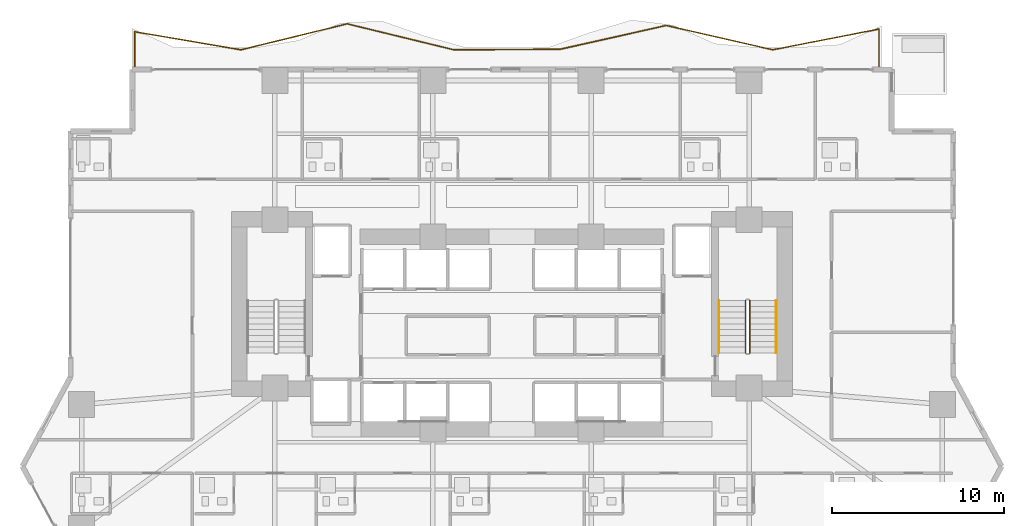
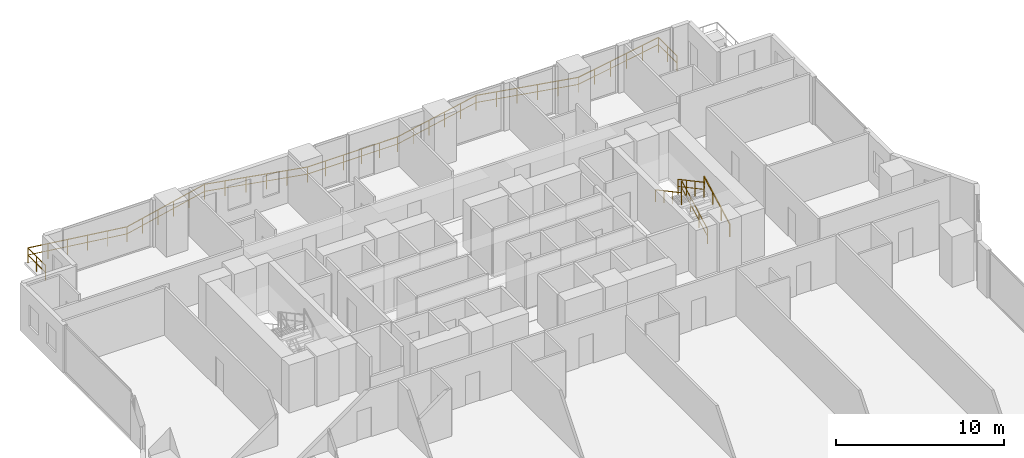
# One storey, part 26 of 28: 5 railings.
"""IFC4 building model written with IfcOpenShell, lengths in metres."""

import ifcopenshell
import ifcopenshell.guid

model = None  # the IFC model being written
_history = None  # IfcOwnerHistory: only IFC2X3 demands one
_inside = {}  # id of a spatial element -> (the spatial element, [elements in it])
_under = {}  # id of a project, library or spatial element -> (it, [spatial elements below it])
_declared = {}  # id of a project -> (the project, [libraries it declares])
_typed = {}  # id of a type object -> (the type object, [elements of that type])
_made_of = {}  # id of a material, layer set ... -> (it, [elements and type objects made of it])


def new_model(schema):
    """Start an empty IFC model of exactly this schema.

    Asked for "IFC4X3", IfcOpenShell would pick the latest addendum, in which some entities
    have other attributes; the version numbers below select the first issue.
    IFC2X3 requires an IfcOwnerHistory on every rooted entity: one is made here for all.
    """
    global model, _history
    if schema == "IFC4X3":
        model = ifcopenshell.file(schema_version=(4, 3, 0, 0))
    else:
        model = ifcopenshell.file(schema=schema)
    _inside.clear()
    _under.clear()
    _declared.clear()
    _typed.clear()
    _made_of.clear()
    _history = None
    if model.schema == "IFC2X3":
        org = make("IfcOrganization", Name="unknown")
        user = make(
            "IfcPersonAndOrganization",
            ThePerson=make("IfcPerson", FamilyName="unknown"),
            TheOrganization=org,
        )
        app = make(
            "IfcApplication",
            ApplicationDeveloper=org,
            Version="unknown",
            ApplicationFullName="unknown",
            ApplicationIdentifier="unknown",
        )
        _history = make(
            "IfcOwnerHistory",
            OwningUser=user,
            OwningApplication=app,
            ChangeAction="ADDED",
            CreationDate=0,
        )
    return model


def make(cls, **values):
    """One entity of the class cls with the attributes given. An attribute that is None is left unset."""
    return model.create_entity(
        cls, **{name: value for name, value in values.items() if value is not None}
    )


def rooted(cls, **values):
    """An entity with a GlobalId (a new one), such as an element, a storey or a relation."""
    return make(cls, GlobalId=ifcopenshell.guid.new(), OwnerHistory=_history, **values)


def si_unit(unit_type, name, prefix=None):
    """IfcSIUnit, for example si_unit("LENGTHUNIT", "METRE", prefix="MILLI")."""
    return make("IfcSIUnit", UnitType=unit_type, Prefix=prefix, Name=name)


def assignment(units):
    """IfcUnitAssignment: the units of a project."""
    return None if units is None else make("IfcUnitAssignment", Units=units)


def point(xyz):
    """IfcCartesianPoint."""
    return None if xyz is None else make("IfcCartesianPoint", Coordinates=xyz)


def direction(xyz):
    """IfcDirection."""
    return None if xyz is None else make("IfcDirection", DirectionRatios=xyz)


def frame(location, z_axis=None, x_axis=None):
    """IfcAxis2Placement3D, a coordinate frame: its origin and axes. An axis left out is left unset."""
    return make(
        "IfcAxis2Placement3D",
        Location=point(location),
        Axis=direction(z_axis),
        RefDirection=direction(x_axis),
    )


def frame_2d(location, x_axis=None):
    """IfcAxis2Placement2D, a coordinate frame in the plane: its origin and x axis."""
    return make(
        "IfcAxis2Placement2D", Location=point(location), RefDirection=direction(x_axis)
    )


def origin():
    """The frame at (0, 0, 0) with its axes left unset."""
    return frame((0.0, 0.0, 0.0))


def origin_2d():
    """The frame at (0, 0) in the plane with its x axis left unset."""
    return frame_2d((0.0, 0.0))


def place(relative_to, where):
    """IfcLocalPlacement: puts the frame where relative to a parent placement (None: the world)."""
    return make(
        "IfcLocalPlacement", PlacementRelTo=relative_to, RelativePlacement=where
    )


def context(
    kind, dimensions, precision=None, world=None, true_north=None, identifier=None
):
    """IfcGeometricRepresentationContext, for example the 3D "Model" context."""
    return make(
        "IfcGeometricRepresentationContext",
        ContextIdentifier=identifier,
        ContextType=kind,
        CoordinateSpaceDimension=dimensions,
        Precision=precision,
        WorldCoordinateSystem=world,
        TrueNorth=true_north,
    )


def subcontext(parent, identifier, kind, view, scale=None):
    """IfcGeometricRepresentationSubContext, for example "Body" below "Model"."""
    return make(
        "IfcGeometricRepresentationSubContext",
        ContextIdentifier=identifier,
        ContextType=kind,
        ParentContext=parent,
        TargetScale=scale,
        TargetView=view,
    )


def project(units=None, contexts=None):
    """IfcProject with its units and contexts."""
    return rooted(
        "IfcProject",
        Name="project",
        RepresentationContexts=contexts,
        UnitsInContext=assignment(units),
    )


def spatial(cls, under=None, at=None, **own):
    """A site, building, storey or space (cls), placed at a placement, below another one or the project."""
    s = rooted(cls, ObjectPlacement=at, **own)
    if under is not None:
        _under.setdefault(under.id(), (under, []))[1].append(s)
    return s


def profile(cls, at=None, kind="AREA", **sizes):
    """A parametric profile (cls). Its sizes go by their IFC names, for example OverallWidth=200.0."""
    return make(cls, ProfileType=kind, Position=at, **sizes)


def rectangle(**sizes):
    """IfcRectangleProfileDef."""
    return profile("IfcRectangleProfileDef", **sizes)


def extrude(swept, where, along, depth):
    """IfcExtrudedAreaSolid: the profile swept, set in the frame where, extruded along a direction by depth."""
    return make(
        "IfcExtrudedAreaSolid",
        SweptArea=swept,
        Position=where,
        ExtrudedDirection=direction(along),
        Depth=depth,
    )


def shape(context_of_items, identifier, shape_type, items):
    """IfcShapeRepresentation: the items that make up one representation, for example the "Body"."""
    return make(
        "IfcShapeRepresentation",
        ContextOfItems=context_of_items,
        RepresentationIdentifier=identifier,
        RepresentationType=shape_type,
        Items=items,
    )


def material(Name=None, Category=None):
    """IfcMaterial."""
    return make("IfcMaterial", Name=Name, Category=Category)


def made_of(thing, what):
    """Note that an element or type object is made of a material, layer set ...; save() writes the relation."""
    if what is not None:
        _made_of.setdefault(what.id(), (what, []))[1].append(thing)
    return thing


def type_object(cls, material=None, **own):
    """A type object (cls), such as IfcWallType, which elements share."""
    return made_of(rooted(cls, **own), material)


def element(
    cls,
    number,
    at=None,
    inside=None,
    cuts=None,
    type_object=None,
    material=None,
    context=None,
    identifier="Body",
    shape_type=None,
    held_by="IfcProductDefinitionShape",
    body=None,
    shapes=None,
    **own,
):
    """One element of the class cls, such as IfcWall. Its Tag is "e" and its number.

    at: its placement. inside: the storey or other place that contains it. cuts: it is an
    opening in that element (IfcRelVoidsElement). A single representation is given by context,
    identifier, shape_type and body (its items); several are given by shapes. held_by: the class
    of the entity that holds the representations. save() writes the other relations.
    """
    e = rooted(cls, Tag="e%d" % number, ObjectPlacement=at, **own)
    if body is not None:
        shapes = [shape(context, identifier, shape_type, body)]
    if shapes is not None:
        e.Representation = make(held_by, Representations=shapes)
    if inside is not None:
        _inside.setdefault(inside.id(), (inside, []))[1].append(e)
    if cuts is not None:
        rooted(
            "IfcRelVoidsElement", RelatingBuildingElement=cuts, RelatedOpeningElement=e
        )
    if type_object is not None:
        _typed.setdefault(type_object.id(), (type_object, []))[1].append(e)
    return made_of(e, material)


def aggregate(whole, parts):
    """IfcRelAggregates: a whole, such as a stair, and the parts it consists of."""
    return rooted("IfcRelAggregates", RelatingObject=whole, RelatedObjects=parts)


def save(model, path):
    """Write the relations noted so far, then the file.

    IfcRelAggregates (storeys below a building ...), IfcRelContainedInSpatialStructure (elements
    in a storey), IfcRelDefinesByType, IfcRelAssociatesMaterial and IfcRelDeclares: one each for
    every whole, place, type object, material and project.
    """
    for whole, parts in _under.values():
        aggregate(whole, parts)
    for where, things in _inside.values():
        rooted(
            "IfcRelContainedInSpatialStructure",
            RelatedElements=things,
            RelatingStructure=where,
        )
    for kind, things in _typed.values():
        rooted("IfcRelDefinesByType", RelatedObjects=things, RelatingType=kind)
    for what, things in _made_of.values():
        rooted("IfcRelAssociatesMaterial", RelatedObjects=things, RelatingMaterial=what)
    for by, libraries in _declared.values():
        rooted("IfcRelDeclares", RelatingContext=by, RelatedDefinitions=libraries)
    model.write(path)


model = new_model("IFC4")

# Units and contexts
model_context = context("Model", 3, precision=1e-05, world=origin(), true_north=direction((0.0, 1.0)))
body_context = subcontext(model_context, "Body", "Model", "MODEL_VIEW")
ifc_project = project(units=[si_unit("LENGTHUNIT", "METRE"), si_unit("AREAUNIT", "SQUARE_METRE"), si_unit("VOLUMEUNIT", "CUBIC_METRE"), si_unit("PLANEANGLEUNIT", "RADIAN"), si_unit("MASSUNIT", "GRAM", prefix="KILO")], contexts=[model_context])

# Site, building, storey
site_placement = place(None, origin())
site = spatial("IfcSite", under=ifc_project, at=site_placement, CompositionType="ELEMENT")
building_placement = place(site_placement, origin())
building = spatial("IfcBuilding", under=site, at=building_placement, Name="Zuhayl Quay Hotel", CompositionType="ELEMENT")
storey_placement = place(building_placement, frame((0.0, 0.0, 53.14990234375)))
storey = spatial("IfcBuildingStorey", under=building, at=storey_placement, Name="L12", CompositionType="ELEMENT", Elevation=53.14990234375)

# Railings
ifc_material_1 = material(Name="Anodised Aluminium and Laminated Glass", Category="aluminium")
railing_type_1 = type_object("IfcRailingType", Name="RL_EXT_BAL_1100", PredefinedType="BALUSTRADE", material=ifc_material_1)
railing_1_placement = place(storey_placement, frame((-21.9599609375, 23.219970703125, 0.0)))
element("IfcRailing", 1, at=railing_1_placement, inside=storey, type_object=railing_type_1, Name="L12 Balcony and Terrace Guard GR_L12_BAL_N", PredefinedType="BALUSTRADE", context=body_context, shape_type="SweptSolid", body=[
    extrude(rectangle(XDim=0.048095703125, YDim=0.048095703125, at=origin_2d()), frame((0.0, 0.0, 1.09619140625), z_axis=(0.0, 1.0, 0.0), x_axis=(-1.0, 0.0, 0.0)), (0.0, 0.0, 1.0), 2.068115234375),
    extrude(rectangle(XDim=0.0361328125, YDim=0.0361328125, at=origin_2d()), frame((0.0, 0.0, 0.58251953125), z_axis=(0.0, 1.0, 0.0), x_axis=(-1.0, 0.0, 0.0)), (0.0, 0.0, 1.0), 2.068115234375),
    extrude(rectangle(XDim=0.048095703125, YDim=0.048095703125, at=origin_2d()), frame((0.0, 2.068115234375, 1.09619140625), z_axis=(0.985959513597, -0.166984542839, 0.0), x_axis=(0.166984542839, 0.985959513597, 0.0)), (0.0, 0.0, 1.0), 6.276611328125),
    extrude(rectangle(XDim=0.0361328125, YDim=0.0361328125, at=origin_2d()), frame((0.0, 2.068115234375, 0.58251953125), z_axis=(0.985959513597, -0.166984542839, 0.0), x_axis=(0.166984542839, 0.985959513597, 0.0)), (0.0, 0.0, 1.0), 6.276611328125),
    extrude(rectangle(XDim=0.048095703125, YDim=0.048095703125, at=origin_2d()), frame((6.1884765625, 1.02001953125, 1.09619140625), z_axis=(0.971541855353, 0.236867944851, 0.0), x_axis=(-0.236867944851, 0.971541855353, 0.0)), (0.0, 0.0, 1.0), 6.36962890625),
    extrude(rectangle(XDim=0.0361328125, YDim=0.0361328125, at=origin_2d()), frame((6.1884765625, 1.02001953125, 0.58251953125), z_axis=(0.971541855353, 0.236867944851, 0.0), x_axis=(-0.236867944851, 0.971541855353, 0.0)), (0.0, 0.0, 1.0), 6.36962890625),
    extrude(rectangle(XDim=0.048095703125, YDim=0.048095703125, at=origin_2d()), frame((12.376953125, 2.52880859375, 1.09619140625), z_axis=(0.971544005688, -0.236859124823, 0.0), x_axis=(0.236859124823, 0.971544005688, 0.0)), (0.0, 0.0, 1.0), 6.369873046875),
    extrude(rectangle(XDim=0.0361328125, YDim=0.0361328125, at=origin_2d()), frame((12.376953125, 2.52880859375, 0.58251953125), z_axis=(0.971544005688, -0.236859124823, 0.0), x_axis=(0.236859124823, 0.971544005688, 0.0)), (0.0, 0.0, 1.0), 6.369873046875),
    extrude(rectangle(XDim=0.048095703125, YDim=0.048095703125, at=origin_2d()), frame((18.565673828125, 1.02001953125, 1.09619140625), z_axis=(0.999989708668, 0.004536800398, 0.0), x_axis=(-0.004536800398, 0.999989708668, 0.0)), (0.0, 0.0, 1.0), 6.1884765625),
    extrude(rectangle(XDim=0.0361328125, YDim=0.0361328125, at=origin_2d()), frame((18.565673828125, 1.02001953125, 0.58251953125), z_axis=(0.999989708668, 0.004536800398, 0.0), x_axis=(-0.004536800398, 0.999989708668, 0.0)), (0.0, 0.0, 1.0), 6.1884765625),
    extrude(rectangle(XDim=0.048095703125, YDim=0.048095703125, at=origin_2d()), frame((24.754150390625, 1.048095703125, 1.09619140625), z_axis=(0.975827948744, 0.218540189555, 0.0), x_axis=(-0.218540189555, 0.975827948744, 0.0)), (0.0, 0.0, 1.0), 6.342041015625),
    extrude(rectangle(XDim=0.0361328125, YDim=0.0361328125, at=origin_2d()), frame((24.754150390625, 1.048095703125, 0.58251953125), z_axis=(0.975827948744, 0.218540189555, 0.0), x_axis=(-0.218540189555, 0.975827948744, 0.0)), (0.0, 0.0, 1.0), 6.342041015625),
    extrude(rectangle(XDim=0.048095703125, YDim=0.048095703125, at=origin_2d()), frame((30.94287109375, 2.43408203125, 1.09619140625), z_axis=(0.974873780706, -0.222757966619, 0.0), x_axis=(0.222757966619, 0.974873780706, 0.0)), (0.0, 0.0, 1.0), 6.347900390625),
    extrude(rectangle(XDim=0.0361328125, YDim=0.0361328125, at=origin_2d()), frame((30.94287109375, 2.43408203125, 0.58251953125), z_axis=(0.974873780706, -0.222757966619, 0.0), x_axis=(0.222757966619, 0.974873780706, 0.0)), (0.0, 0.0, 1.0), 6.347900390625),
    extrude(rectangle(XDim=0.048095703125, YDim=0.048095703125, at=origin_2d()), frame((37.13134765625, 1.02001953125, 1.09619140625), z_axis=(0.981593416051, 0.190982631582, 0.0), x_axis=(-0.190982631582, 0.981593416051, 0.0)), (0.0, 0.0, 1.0), 6.3046875),
    extrude(rectangle(XDim=0.0361328125, YDim=0.0361328125, at=origin_2d()), frame((37.13134765625, 1.02001953125, 0.58251953125), z_axis=(0.981593416051, 0.190982631582, 0.0), x_axis=(-0.190982631582, 0.981593416051, 0.0)), (0.0, 0.0, 1.0), 6.3046875),
    extrude(rectangle(XDim=0.048095703125, YDim=0.048095703125, at=origin_2d()), frame((43.320068359375, 2.22412109375, 1.09619140625), z_axis=(0.0, -1.0, 0.0), x_axis=(1.0, 0.0, 0.0)), (0.0, 0.0, 1.0), 2.22412109375),
    extrude(rectangle(XDim=0.0361328125, YDim=0.0361328125, at=origin_2d()), frame((43.320068359375, 2.22412109375, 0.58251953125), z_axis=(0.0, -1.0, 0.0), x_axis=(1.0, 0.0, 0.0)), (0.0, 0.0, 1.0), 2.22412109375),
    extrude(rectangle(XDim=0.0419921875, YDim=0.0419921875, at=origin_2d()), origin(), (0.0, 0.0, 1.0), 1.072021484375),
    extrude(rectangle(XDim=0.0419921875, YDim=0.0419921875, at=origin_2d()), frame((0.0, 1.0341796875, 0.0)), (0.0, 0.0, 1.0), 1.072021484375),
    extrude(rectangle(XDim=0.0419921875, YDim=0.0419921875, at=origin_2d()), frame((0.0, 2.068115234375, 0.0)), (0.0, 0.0, 1.0), 1.072021484375),
    extrude(rectangle(XDim=0.0419921875, YDim=0.0419921875, at=origin_2d()), frame((1.23779296875, 1.8583984375, 0.0)), (0.0, 0.0, 1.0), 1.072021484375),
    extrude(rectangle(XDim=0.0419921875, YDim=0.0419921875, at=origin_2d()), frame((2.475341796875, 1.64892578125, 0.0)), (0.0, 0.0, 1.0), 1.072021484375),
    extrude(rectangle(XDim=0.0419921875, YDim=0.0419921875, at=origin_2d()), frame((3.713134765625, 1.439208984375, 0.0)), (0.0, 0.0, 1.0), 1.072021484375),
    extrude(rectangle(XDim=0.0419921875, YDim=0.0419921875, at=origin_2d()), frame((4.95068359375, 1.229736328125, 0.0)), (0.0, 0.0, 1.0), 1.072021484375),
    extrude(rectangle(XDim=0.0419921875, YDim=0.0419921875, at=origin_2d()), frame((6.1884765625, 1.02001953125, 0.0)), (0.0, 0.0, 1.0), 1.072021484375),
    extrude(rectangle(XDim=0.0419921875, YDim=0.0419921875, at=origin_2d()), frame((7.42626953125, 1.32177734375, 0.0)), (0.0, 0.0, 1.0), 1.072021484375),
    extrude(rectangle(XDim=0.0419921875, YDim=0.0419921875, at=origin_2d()), frame((8.663818359375, 1.62353515625, 0.0)), (0.0, 0.0, 1.0), 1.072021484375),
    extrude(rectangle(XDim=0.0419921875, YDim=0.0419921875, at=origin_2d()), frame((9.901611328125, 1.92529296875, 0.0)), (0.0, 0.0, 1.0), 1.072021484375),
    extrude(rectangle(XDim=0.0419921875, YDim=0.0419921875, at=origin_2d()), frame((11.13916015625, 2.22705078125, 0.0)), (0.0, 0.0, 1.0), 1.072021484375),
    extrude(rectangle(XDim=0.0419921875, YDim=0.0419921875, at=origin_2d()), frame((12.376953125, 2.52880859375, 0.0)), (0.0, 0.0, 1.0), 1.072021484375),
    extrude(rectangle(XDim=0.0419921875, YDim=0.0419921875, at=origin_2d()), frame((13.61474609375, 2.22705078125, 0.0)), (0.0, 0.0, 1.0), 1.072021484375),
    extrude(rectangle(XDim=0.0419921875, YDim=0.0419921875, at=origin_2d()), frame((14.8525390625, 1.92529296875, 0.0)), (0.0, 0.0, 1.0), 1.072021484375),
    extrude(rectangle(XDim=0.0419921875, YDim=0.0419921875, at=origin_2d()), frame((16.090087890625, 1.62353515625, 0.0)), (0.0, 0.0, 1.0), 1.072021484375),
    extrude(rectangle(XDim=0.0419921875, YDim=0.0419921875, at=origin_2d()), frame((17.327880859375, 1.32177734375, 0.0)), (0.0, 0.0, 1.0), 1.072021484375),
    extrude(rectangle(XDim=0.0419921875, YDim=0.0419921875, at=origin_2d()), frame((18.565673828125, 1.02001953125, 0.0)), (0.0, 0.0, 1.0), 1.072021484375),
    extrude(rectangle(XDim=0.0419921875, YDim=0.0419921875, at=origin_2d()), frame((19.803466796875, 1.025634765625, 0.0)), (0.0, 0.0, 1.0), 1.072021484375),
    extrude(rectangle(XDim=0.0419921875, YDim=0.0419921875, at=origin_2d()), frame((21.041015625, 1.03125, 0.0)), (0.0, 0.0, 1.0), 1.072021484375),
    extrude(rectangle(XDim=0.0419921875, YDim=0.0419921875, at=origin_2d()), frame((22.27880859375, 1.036865234375, 0.0)), (0.0, 0.0, 1.0), 1.072021484375),
    extrude(rectangle(XDim=0.0419921875, YDim=0.0419921875, at=origin_2d()), frame((23.516357421875, 1.04248046875, 0.0)), (0.0, 0.0, 1.0), 1.072021484375),
    extrude(rectangle(XDim=0.0419921875, YDim=0.0419921875, at=origin_2d()), frame((24.754150390625, 1.048095703125, 0.0)), (0.0, 0.0, 1.0), 1.072021484375),
    extrude(rectangle(XDim=0.0419921875, YDim=0.0419921875, at=origin_2d()), frame((25.991943359375, 1.3251953125, 0.0)), (0.0, 0.0, 1.0), 1.072021484375),
    extrude(rectangle(XDim=0.0419921875, YDim=0.0419921875, at=origin_2d()), frame((27.229736328125, 1.6025390625, 0.0)), (0.0, 0.0, 1.0), 1.072021484375),
    extrude(rectangle(XDim=0.0419921875, YDim=0.0419921875, at=origin_2d()), frame((28.46728515625, 1.879638671875, 0.0)), (0.0, 0.0, 1.0), 1.072021484375),
    extrude(rectangle(XDim=0.0419921875, YDim=0.0419921875, at=origin_2d()), frame((29.705078125, 2.156982421875, 0.0)), (0.0, 0.0, 1.0), 1.072021484375),
    extrude(rectangle(XDim=0.0419921875, YDim=0.0419921875, at=origin_2d()), frame((30.94287109375, 2.43408203125, 0.0)), (0.0, 0.0, 1.0), 1.072021484375),
    extrude(rectangle(XDim=0.0419921875, YDim=0.0419921875, at=origin_2d()), frame((32.1806640625, 2.1513671875, 0.0)), (0.0, 0.0, 1.0), 1.072021484375),
    extrude(rectangle(XDim=0.0419921875, YDim=0.0419921875, at=origin_2d()), frame((33.418212890625, 1.868408203125, 0.0)), (0.0, 0.0, 1.0), 1.072021484375),
    extrude(rectangle(XDim=0.0419921875, YDim=0.0419921875, at=origin_2d()), frame((34.656005859375, 1.585693359375, 0.0)), (0.0, 0.0, 1.0), 1.072021484375),
    extrude(rectangle(XDim=0.0419921875, YDim=0.0419921875, at=origin_2d()), frame((35.8935546875, 1.302734375, 0.0)), (0.0, 0.0, 1.0), 1.072021484375),
    extrude(rectangle(XDim=0.0419921875, YDim=0.0419921875, at=origin_2d()), frame((37.13134765625, 1.02001953125, 0.0)), (0.0, 0.0, 1.0), 1.072021484375),
    extrude(rectangle(XDim=0.0419921875, YDim=0.0419921875, at=origin_2d()), frame((38.369140625, 1.2607421875, 0.0)), (0.0, 0.0, 1.0), 1.072021484375),
    extrude(rectangle(XDim=0.0419921875, YDim=0.0419921875, at=origin_2d()), frame((39.60693359375, 1.501708984375, 0.0)), (0.0, 0.0, 1.0), 1.072021484375),
    extrude(rectangle(XDim=0.0419921875, YDim=0.0419921875, at=origin_2d()), frame((40.844482421875, 1.742431640625, 0.0)), (0.0, 0.0, 1.0), 1.072021484375),
    extrude(rectangle(XDim=0.0419921875, YDim=0.0419921875, at=origin_2d()), frame((42.082275390625, 1.9833984375, 0.0)), (0.0, 0.0, 1.0), 1.072021484375),
    extrude(rectangle(XDim=0.0419921875, YDim=0.0419921875, at=origin_2d()), frame((43.320068359375, 2.22412109375, 0.0)), (0.0, 0.0, 1.0), 1.072021484375),
    extrude(rectangle(XDim=0.0419921875, YDim=0.0419921875, at=origin_2d()), frame((43.320068359375, 1.112060546875, 0.0)), (0.0, 0.0, 1.0), 1.072021484375),
    extrude(rectangle(XDim=0.0419921875, YDim=0.0419921875, at=origin_2d()), frame((43.320068359375, 0.0, 0.0)), (0.0, 0.0, 1.0), 1.072021484375),
])
ifc_material_2 = material(Name="Steel ASTM A992 Grade 50", Category="steel")
railing_type_2 = type_object("IfcRailingType", Name="RL_GUARD_1100", PredefinedType="GUARDRAIL", material=ifc_material_2)
railing_2_placement = place(storey_placement, frame((13.840087890625, 6.590087890625, 0.1826171875)))
element("IfcRailing", 2, at=railing_2_placement, inside=storey, type_object=railing_type_2, Name="L12 ST2 stair guard 1", PredefinedType="GUARDRAIL", context=body_context, shape_type="SweptSolid", body=[
    extrude(rectangle(XDim=0.048095703125, YDim=0.048095703125, at=origin_2d()), frame((0.0, 0.0, 1.09619140625), z_axis=(0.0, 0.88107310026, 0.472980117973), x_axis=(-1.0, 0.0, 0.0)), (0.0, 0.0, 1.0), 3.472900390625),
    extrude(rectangle(XDim=0.0361328125, YDim=0.0361328125, at=origin_2d()), frame((0.0, 0.0, 0.58251953125), z_axis=(0.0, 0.88107310026, 0.472980117973), x_axis=(-1.0, 0.0, 0.0)), (0.0, 0.0, 1.0), 3.472900390625),
    extrude(rectangle(XDim=0.0419921875, YDim=0.0419921875, at=origin_2d()), origin(), (0.0, 0.0, 1.0), 1.072021484375),
    extrude(rectangle(XDim=0.0419921875, YDim=0.0419921875, at=origin_2d()), frame((0.0, 1.02001953125, 0.547607421875)), (0.0, 0.0, 1.0), 1.072021484375),
    extrude(rectangle(XDim=0.0419921875, YDim=0.0419921875, at=origin_2d()), frame((0.0, 2.039794921875, 1.094970703125)), (0.0, 0.0, 1.0), 1.072021484375),
    extrude(rectangle(XDim=0.0419921875, YDim=0.0419921875, at=origin_2d()), frame((0.0, 3.059814453125, 1.642578125)), (0.0, 0.0, 1.0), 1.072021484375),
])
railing_3_placement = place(storey_placement, frame((13.590087890625, 9.64990234375, 2.007568359375)))
element("IfcRailing", 3, at=railing_3_placement, inside=storey, type_object=railing_type_2, Name="L12 ST2 stair guard 3", PredefinedType="GUARDRAIL", context=body_context, shape_type="SweptSolid", body=[
    extrude(rectangle(XDim=0.048095703125, YDim=0.048095703125, at=origin_2d()), frame((0.0, 0.0, 1.09619140625), z_axis=(0.0, -0.88107310026, 0.472980117973), x_axis=(1.0, 0.0, 0.0)), (0.0, 0.0, 1.0), 3.472900390625),
    extrude(rectangle(XDim=0.0361328125, YDim=0.0361328125, at=origin_2d()), frame((0.0, 0.0, 0.58251953125), z_axis=(0.0, -0.88107310026, 0.472980117973), x_axis=(1.0, 0.0, 0.0)), (0.0, 0.0, 1.0), 3.472900390625),
    extrude(rectangle(XDim=0.0419921875, YDim=0.0419921875, at=origin_2d()), origin(), (0.0, 0.0, 1.0), 1.072021484375),
    extrude(rectangle(XDim=0.0419921875, YDim=0.0419921875, at=origin_2d()), frame((0.0, -1.02001953125, 0.547607421875)), (0.0, 0.0, 1.0), 1.072021484375),
    extrude(rectangle(XDim=0.0419921875, YDim=0.0419921875, at=origin_2d()), frame((0.0, -2.039794921875, 1.094970703125)), (0.0, 0.0, 1.0), 1.072021484375),
    extrude(rectangle(XDim=0.0419921875, YDim=0.0419921875, at=origin_2d()), frame((0.0, -3.059814453125, 1.642578125)), (0.0, 0.0, 1.0), 1.072021484375),
])
railing_type_3 = type_object("IfcRailingType", Name="RL_HANDRAIL_920", PredefinedType="HANDRAIL", material=ifc_material_2)
railing_4_placement = place(storey_placement, frame((15.3798828125, 6.590087890625, 0.1826171875)))
element("IfcRailing", 4, at=railing_4_placement, inside=storey, type_object=railing_type_3, Name="L12 ST2 stair handrail 1", PredefinedType="HANDRAIL", context=body_context, shape_type="SweptSolid", body=[
    extrude(rectangle(XDim=0.048095703125, YDim=0.048095703125, at=origin_2d()), frame((0.0, 0.0, 0.8759765625), z_axis=(0.0, 0.88107310026, 0.472980117973), x_axis=(-1.0, 0.0, 0.0)), (0.0, 0.0, 1.0), 3.472900390625),
    extrude(rectangle(XDim=0.0419921875, YDim=0.0419921875, at=origin_2d()), origin(), (0.0, 0.0, 1.0), 0.851806640625),
    extrude(rectangle(XDim=0.0419921875, YDim=0.0419921875, at=origin_2d()), frame((0.0, 1.02001953125, 0.547607421875)), (0.0, 0.0, 1.0), 0.851806640625),
    extrude(rectangle(XDim=0.0419921875, YDim=0.0419921875, at=origin_2d()), frame((0.0, 2.039794921875, 1.094970703125)), (0.0, 0.0, 1.0), 0.851806640625),
    extrude(rectangle(XDim=0.0419921875, YDim=0.0419921875, at=origin_2d()), frame((0.0, 3.059814453125, 1.642578125)), (0.0, 0.0, 1.0), 0.851806640625),
])
railing_5_placement = place(storey_placement, frame((12.050048828125, 9.64990234375, 2.007568359375)))
element("IfcRailing", 5, at=railing_5_placement, inside=storey, type_object=railing_type_3, Name="L12 ST2 stair handrail 2", PredefinedType="HANDRAIL", context=body_context, shape_type="SweptSolid", body=[
    extrude(rectangle(XDim=0.048095703125, YDim=0.048095703125, at=origin_2d()), frame((0.0, 0.0, 0.8759765625), z_axis=(0.0, -0.88107310026, 0.472980117973), x_axis=(1.0, 0.0, 0.0)), (0.0, 0.0, 1.0), 3.472900390625),
    extrude(rectangle(XDim=0.0419921875, YDim=0.0419921875, at=origin_2d()), origin(), (0.0, 0.0, 1.0), 0.851806640625),
    extrude(rectangle(XDim=0.0419921875, YDim=0.0419921875, at=origin_2d()), frame((0.0, -1.02001953125, 0.547607421875)), (0.0, 0.0, 1.0), 0.851806640625),
    extrude(rectangle(XDim=0.0419921875, YDim=0.0419921875, at=origin_2d()), frame((0.0, -2.039794921875, 1.094970703125)), (0.0, 0.0, 1.0), 0.851806640625),
    extrude(rectangle(XDim=0.0419921875, YDim=0.0419921875, at=origin_2d()), frame((0.0, -3.059814453125, 1.642578125)), (0.0, 0.0, 1.0), 0.851806640625),
])

save(model, "model.ifc")
